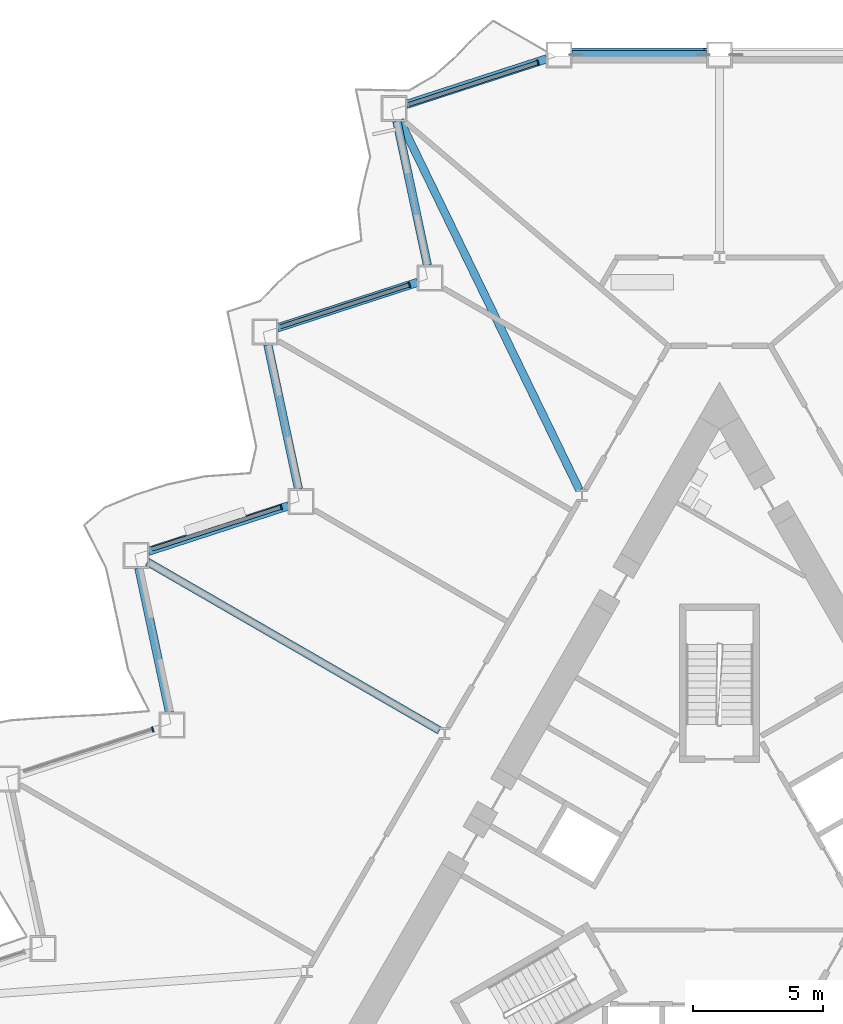
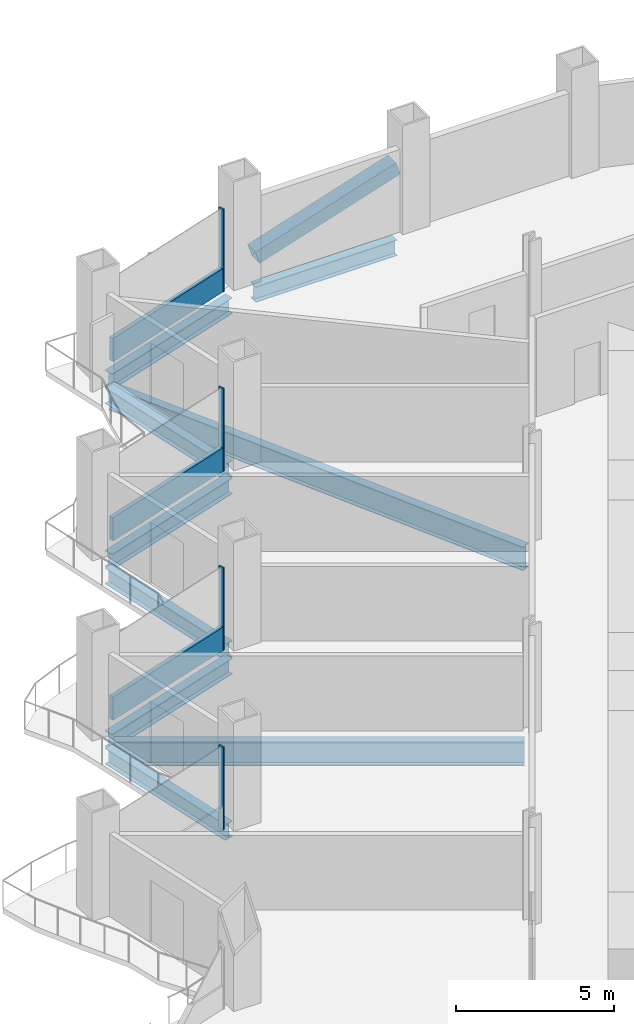
# One storey, part 6 of 21: 9 beams, 8 members, 4 elements without a shape of their own.
"""IFC4 building model written with IfcOpenShell, lengths in metres."""

from ifc_helpers import new_model, si_unit, direction, frame, origin, origin_2d, place, context, subcontext, project, spatial, rectangle, hollow_rectangle, i_section, extrude, material, layer, layer_set, material_profile, profile_set, type_object, element, aggregate, save


model = new_model("IFC4")

# Units and contexts
model_context = context("Model", 3, precision=1e-05, world=origin(), true_north=direction((0.0, 1.0)))
body_context = subcontext(model_context, "Body", "Model", "MODEL_VIEW")
ifc_project = project(units=[si_unit("LENGTHUNIT", "METRE"), si_unit("AREAUNIT", "SQUARE_METRE"), si_unit("VOLUMEUNIT", "CUBIC_METRE"), si_unit("PLANEANGLEUNIT", "RADIAN"), si_unit("MASSUNIT", "GRAM", prefix="KILO")], contexts=[model_context])

# Site, building, storey
site_placement = place(None, origin())
site = spatial("IfcSite", under=ifc_project, at=site_placement, CompositionType="ELEMENT")
building_placement = place(site_placement, origin())
building = spatial("IfcBuilding", under=site, at=building_placement, Name="Cormorant Prow Tower", CompositionType="ELEMENT")
storey_placement = place(building_placement, frame((0.0, 0.0, 76.199951171875)))
storey = spatial("IfcBuildingStorey", under=building, at=storey_placement, Name="L16", CompositionType="ELEMENT", Elevation=76.199951171875)

# Member
ifc_material_1 = material(Name="Structural steel ASTM A500 Gr C", Category="steel")
ifc_material_profile_1 = material_profile(ifc_material_1, hollow_rectangle(XDim=0.508056640625, YDim=0.508056640625, WallThickness=0.014892578125, at=origin_2d()), Name="HSS20x20x5/8")
ifc_profile_set_1 = profile_set([ifc_material_profile_1], Name="Structural steel ASTM A500 Gr C")
member_type_1 = type_object("IfcMemberType", Name="Chamfer brace HSS20x20x5/8", PredefinedType="BRACE", material=ifc_profile_set_1)
member_1_placement = place(storey_placement, frame((-5.65087890625, 32.233642578125, 0.767333984375), z_axis=(0.951774314198, 0.0, 0.306799046335), x_axis=(0.0, 1.0, 0.0)))
element("IfcMember", 1, at=member_1_placement, inside=storey, type_object=member_type_1, Name="Chamfer brace BR1 at N01 L16", PredefinedType="BRACE", context=body_context, shape_type="SweptSolid", body=[
    extrude(hollow_rectangle(XDim=0.508056640625, YDim=0.508056640625, WallThickness=0.014892578125, at=origin_2d()), origin(), (0.0, 0.0, 1.0), 5.39208984375),
])

# Curtain wall, member
ifc_material_2 = material(Name="Aluminium 6063-T6", Category="aluminium")
ifc_layer = layer(ifc_material_2, 0.199951171875)
ifc_layer_set = layer_set([ifc_layer], Name="Aluminium 6063-T6")
curtain_wall_type = type_object("IfcCurtainWallType", Name="Office unitised curtain wall 200", PredefinedType="NOTDEFINED", material=ifc_layer_set)
curtain_wall_1_placement = place(storey_placement, origin())
curtain_wall_1 = element("IfcCurtainWall", 2, at=curtain_wall_1_placement, inside=storey, type_object=curtain_wall_type, Name="Office curtain wall WNW00", PredefinedType="NOTDEFINED")
ifc_material_3 = material(Name="Aluminium 6063-T6", Category="aluminium")
ifc_material_profile_2 = material_profile(ifc_material_3, rectangle(XDim=0.199951171875, YDim=0.06005859375, at=origin_2d()), Name="Office mullion 60x200")
ifc_profile_set_2 = profile_set([ifc_material_profile_2], Name="Aluminium 6063-T6")
member_type_2 = type_object("IfcMemberType", Name="Office mullion 60x200", PredefinedType="MULLION", material=ifc_profile_set_2)
member_2_placement = place(storey_placement, frame((-6.994873046875, 31.93310546875, 0.0), z_axis=(0.0, 0.0, 1.0), x_axis=(0.309017039425, -0.951056501658, 0.0)))
member_2 = element("IfcMember", 3, at=member_2_placement, type_object=member_type_2, Name="Office mullion WNW00", PredefinedType="MULLION", context=body_context, shape_type="SweptSolid", body=[
    extrude(rectangle(XDim=0.199951171875, YDim=0.06005859375, at=origin_2d()), origin(), (0.0, 0.0, 1.0), 3.18896484375),
])

curtain_wall_2_placement = place(storey_placement, origin())
curtain_wall_2 = element("IfcCurtainWall", 4, at=curtain_wall_2_placement, inside=storey, type_object=curtain_wall_type, Name="Office curtain wall WNW02", PredefinedType="NOTDEFINED")
member_3_placement = place(storey_placement, frame((-11.935302734375, 23.3759765625, 0.0), z_axis=(0.0, 0.0, 1.0), x_axis=(0.309016859176, -0.951056560224, 0.0)))
member_3 = element("IfcMember", 5, at=member_3_placement, type_object=member_type_2, Name="Office mullion WNW02", PredefinedType="MULLION", context=body_context, shape_type="SweptSolid", body=[
    extrude(rectangle(XDim=0.199951171875, YDim=0.06005859375, at=origin_2d()), origin(), (0.0, 0.0, 1.0), 3.18896484375),
])

curtain_wall_3_placement = place(storey_placement, origin())
curtain_wall_3 = element("IfcCurtainWall", 6, at=curtain_wall_3_placement, inside=storey, type_object=curtain_wall_type, Name="Office curtain wall WNW04", PredefinedType="NOTDEFINED")
member_4_placement = place(storey_placement, frame((-16.875732421875, 14.819091796875, 0.0), z_axis=(0.0, 0.0, 1.0), x_axis=(0.309017039425, -0.951056501658, 0.0)))
member_4 = element("IfcMember", 7, at=member_4_placement, type_object=member_type_2, Name="Office mullion WNW04", PredefinedType="MULLION", context=body_context, shape_type="SweptSolid", body=[
    extrude(rectangle(XDim=0.199951171875, YDim=0.06005859375, at=origin_2d()), origin(), (0.0, 0.0, 1.0), 3.18896484375),
])

curtain_wall_4_placement = place(storey_placement, origin())
curtain_wall_4 = element("IfcCurtainWall", 8, at=curtain_wall_4_placement, inside=storey, type_object=curtain_wall_type, Name="Office curtain wall WNW06", PredefinedType="NOTDEFINED")
member_5_placement = place(storey_placement, frame((-21.816162109375, 6.261962890625, 0.0), z_axis=(0.0, 0.0, 1.0), x_axis=(0.309017039425, -0.951056501658, 0.0)))
member_5 = element("IfcMember", 9, at=member_5_placement, type_object=member_type_2, Name="Office mullion WNW06", PredefinedType="MULLION", context=body_context, shape_type="SweptSolid", body=[
    extrude(rectangle(XDim=0.199951171875, YDim=0.06005859375, at=origin_2d()), origin(), (0.0, 0.0, 1.0), 3.18896484375),
])
aggregate(curtain_wall_4, [member_5])

# Member
ifc_material_4 = material(Name="Terracotta", Category="masonry")
ifc_material_profile_3 = material_profile(ifc_material_4, rectangle(XDim=0.159912109375, YDim=0.89990234375, at=origin_2d()), Name="Office terracotta spandrel rail 160x900")
ifc_profile_set_3 = profile_set([ifc_material_profile_3], Name="Terracotta")
member_type_3 = type_object("IfcMemberType", Name="Office terracotta spandrel rail 160x900", PredefinedType="USERDEFINED", material=ifc_profile_set_3)
member_6_placement = place(storey_placement, frame((-7.0234375, 31.923828125, 0.449951171875), z_axis=(-0.95105864728, -0.309010435801, 0.0), x_axis=(0.309010435801, -0.95105864728, 0.0)))
member_6 = element("IfcMember", 10, at=member_6_placement, type_object=member_type_3, Name="Office spandrel rail WNW00", ObjectType="TRANSOM", PredefinedType="USERDEFINED", context=body_context, shape_type="SweptSolid", body=[
    extrude(rectangle(XDim=0.159912109375, YDim=0.89990234375, at=origin_2d()), origin(), (0.0, 0.0, 1.0), 5.18212890625),
])

aggregate(curtain_wall_1, [member_2, member_6])

member_7_placement = place(storey_placement, frame((-11.9638671875, 23.36669921875, 0.449951171875), z_axis=(-0.95105864728, -0.309010435801, 0.0), x_axis=(0.309010435801, -0.95105864728, 0.0)))
member_7 = element("IfcMember", 11, at=member_7_placement, type_object=member_type_3, Name="Office spandrel rail WNW02", ObjectType="TRANSOM", PredefinedType="USERDEFINED", context=body_context, shape_type="SweptSolid", body=[
    extrude(rectangle(XDim=0.159912109375, YDim=0.89990234375, at=origin_2d()), origin(), (0.0, 0.0, 1.0), 5.18212890625),
])

aggregate(curtain_wall_2, [member_3, member_7])

member_8_placement = place(storey_placement, frame((-16.904296875, 14.809814453125, 0.449951171875), z_axis=(-0.95105864728, -0.309010435801, 0.0), x_axis=(0.309010435801, -0.95105864728, 0.0)))
member_8 = element("IfcMember", 12, at=member_8_placement, type_object=member_type_3, Name="Office spandrel rail WNW04", ObjectType="TRANSOM", PredefinedType="USERDEFINED", context=body_context, shape_type="SweptSolid", body=[
    extrude(rectangle(XDim=0.159912109375, YDim=0.89990234375, at=origin_2d()), origin(), (0.0, 0.0, 1.0), 5.18212890625),
])

aggregate(curtain_wall_3, [member_4, member_8])

# Beams
ifc_material_5 = material(Name="Structural steel ASTM A992 Gr 50", Category="steel")
ifc_material_profile_4 = material_profile(ifc_material_5, i_section(OverallWidth=0.3046875, OverallDepth=0.914794921875, WebThickness=0.0166015625, FlangeThickness=0.02587890625, at=origin_2d()), Name="W36x160")
ifc_profile_set_4 = profile_set([ifc_material_profile_4], Name="Structural steel ASTM A992 Gr 50")
beam_type_1 = type_object("IfcBeamType", Name="Radial floor beam W36x160", PredefinedType="BEAM", material=ifc_profile_set_4)
beam_1_placement = place(storey_placement, frame((-5.390625, 15.4775390625, -0.857421875), z_axis=(-0.436839436813, 0.899539496879, 0.0), x_axis=(-0.899539496879, -0.436839436813, 0.0)))
element("IfcBeam", 13, at=beam_1_placement, inside=storey, type_object=beam_type_1, Name="Radial floor beam FB1 2 L16", PredefinedType="BEAM", context=body_context, shape_type="SweptSolid", body=[
    extrude(i_section(OverallWidth=0.3046875, OverallDepth=0.914794921875, WebThickness=0.0166015625, FlangeThickness=0.02587890625, at=origin_2d()), origin(), (0.0, 0.0, 1.0), 15.83203125),
])
beam_2_placement = place(storey_placement, frame((-10.779541015625, 6.2236328125, -0.857421875), z_axis=(-0.866030278318, 0.499991556966, 0.0), x_axis=(-0.499991556966, -0.866030278318, 0.0)))
element("IfcBeam", 14, at=beam_2_placement, inside=storey, type_object=beam_type_1, Name="Radial floor beam FB1 3 L16", PredefinedType="BEAM", context=body_context, shape_type="SweptSolid", body=[
    extrude(i_section(OverallWidth=0.3046875, OverallDepth=0.914794921875, WebThickness=0.0166015625, FlangeThickness=0.02587890625, at=origin_2d()), origin(), (0.0, 0.0, 1.0), 12.984130859375),
])
ifc_material_6 = material(Name="Structural steel ASTM A992 Gr 50", Category="steel")
ifc_material_profile_5 = material_profile(ifc_material_6, i_section(OverallWidth=0.32373046875, OverallDepth=0.611083984375, WebThickness=0.0126953125, FlangeThickness=0.01904296875, at=origin_2d()), Name="W24x104")
ifc_profile_set_5 = profile_set([ifc_material_profile_5], Name="Structural steel ASTM A992 Gr 50")
beam_type_2 = type_object("IfcBeamType", Name="Spandrel beam W24x104", PredefinedType="SPANDREL", material=ifc_profile_set_5)
beam_3_placement = place(storey_placement, frame((-0.5, 32.233642578125, -0.70556640625), z_axis=(-1.0, 0.0, 0.0), x_axis=(0.0, -1.0, 0.0)))
element("IfcBeam", 15, at=beam_3_placement, inside=storey, type_object=beam_type_2, Name="Spandrel beam SB1 N01-WNW00 L16", PredefinedType="SPANDREL", context=body_context, shape_type="SweptSolid", body=[
    extrude(i_section(OverallWidth=0.32373046875, OverallDepth=0.611083984375, WebThickness=0.0126953125, FlangeThickness=0.01904296875, at=origin_2d()), origin(), (0.0, 0.0, 1.0), 5.169677734375),
])
beam_4_placement = place(storey_placement, frame((-6.645263671875, 32.0791015625, -0.70556640625), z_axis=(-0.951061849722, -0.309000579292, 0.0), x_axis=(0.309000579292, -0.951061849722, 0.0)))
element("IfcBeam", 16, at=beam_4_placement, inside=storey, type_object=beam_type_2, Name="Spandrel beam SB1 WNW00-WNW01 L16", PredefinedType="SPANDREL", context=body_context, shape_type="SweptSolid", body=[
    extrude(i_section(OverallWidth=0.32373046875, OverallDepth=0.611083984375, WebThickness=0.0126953125, FlangeThickness=0.01904296875, at=origin_2d()), origin(), (0.0, 0.0, 1.0), 5.682373046875),
])
beam_5_placement = place(storey_placement, frame((-12.421142578125, 29.6796875, -0.70556640625), z_axis=(0.207900376723, -0.97815000555, 0.0), x_axis=(0.97815000555, 0.207900376723, 0.0)))
element("IfcBeam", 17, at=beam_5_placement, inside=storey, type_object=beam_type_2, Name="Spandrel beam SB1 WNW01-WNW02 L16", PredefinedType="SPANDREL", context=body_context, shape_type="SweptSolid", body=[
    extrude(i_section(OverallWidth=0.32373046875, OverallDepth=0.611083984375, WebThickness=0.0126953125, FlangeThickness=0.01904296875, at=origin_2d()), origin(), (0.0, 0.0, 1.0), 5.6826171875),
])
beam_6_placement = place(storey_placement, frame((-11.611328125, 23.477783203125, -0.70556640625), z_axis=(-0.951049222751, -0.309039440696, 0.0), x_axis=(0.309039440696, -0.951049222751, 0.0)))
element("IfcBeam", 18, at=beam_6_placement, inside=storey, type_object=beam_type_2, Name="Spandrel beam SB1 WNW02-WNW03 L16", PredefinedType="SPANDREL", context=body_context, shape_type="SweptSolid", body=[
    extrude(i_section(OverallWidth=0.32373046875, OverallDepth=0.611083984375, WebThickness=0.0126953125, FlangeThickness=0.01904296875, at=origin_2d()), origin(), (0.0, 0.0, 1.0), 5.682373046875),
])
beam_7_placement = place(storey_placement, frame((-17.38720703125, 21.078125, -0.70556640625), z_axis=(0.207900376723, -0.97815000555, 0.0), x_axis=(0.97815000555, 0.207900376723, 0.0)))
element("IfcBeam", 19, at=beam_7_placement, inside=storey, type_object=beam_type_2, Name="Spandrel beam SB1 WNW03-WNW04 L16", PredefinedType="SPANDREL", context=body_context, shape_type="SweptSolid", body=[
    extrude(i_section(OverallWidth=0.32373046875, OverallDepth=0.611083984375, WebThickness=0.0126953125, FlangeThickness=0.01904296875, at=origin_2d()), origin(), (0.0, 0.0, 1.0), 5.6826171875),
])
beam_8_placement = place(storey_placement, frame((-16.577392578125, 14.876220703125, -0.70556640625), z_axis=(-0.951049222751, -0.309039440696, 0.0), x_axis=(0.309039440696, -0.951049222751, 0.0)))
element("IfcBeam", 20, at=beam_8_placement, inside=storey, type_object=beam_type_2, Name="Spandrel beam SB1 WNW04-WNW05 L16", PredefinedType="SPANDREL", context=body_context, shape_type="SweptSolid", body=[
    extrude(i_section(OverallWidth=0.32373046875, OverallDepth=0.611083984375, WebThickness=0.0126953125, FlangeThickness=0.01904296875, at=origin_2d()), origin(), (0.0, 0.0, 1.0), 5.682373046875),
])
beam_9_placement = place(storey_placement, frame((-22.353271484375, 12.4765625, -0.70556640625), z_axis=(0.207900376723, -0.97815000555, 0.0), x_axis=(0.97815000555, 0.207900376723, 0.0)))
element("IfcBeam", 21, at=beam_9_placement, inside=storey, type_object=beam_type_2, Name="Spandrel beam SB1 WNW05-WNW06 L16", PredefinedType="SPANDREL", context=body_context, shape_type="SweptSolid", body=[
    extrude(i_section(OverallWidth=0.32373046875, OverallDepth=0.611083984375, WebThickness=0.0126953125, FlangeThickness=0.01904296875, at=origin_2d()), origin(), (0.0, 0.0, 1.0), 5.6826171875),
])

save(model, "model.ifc")
